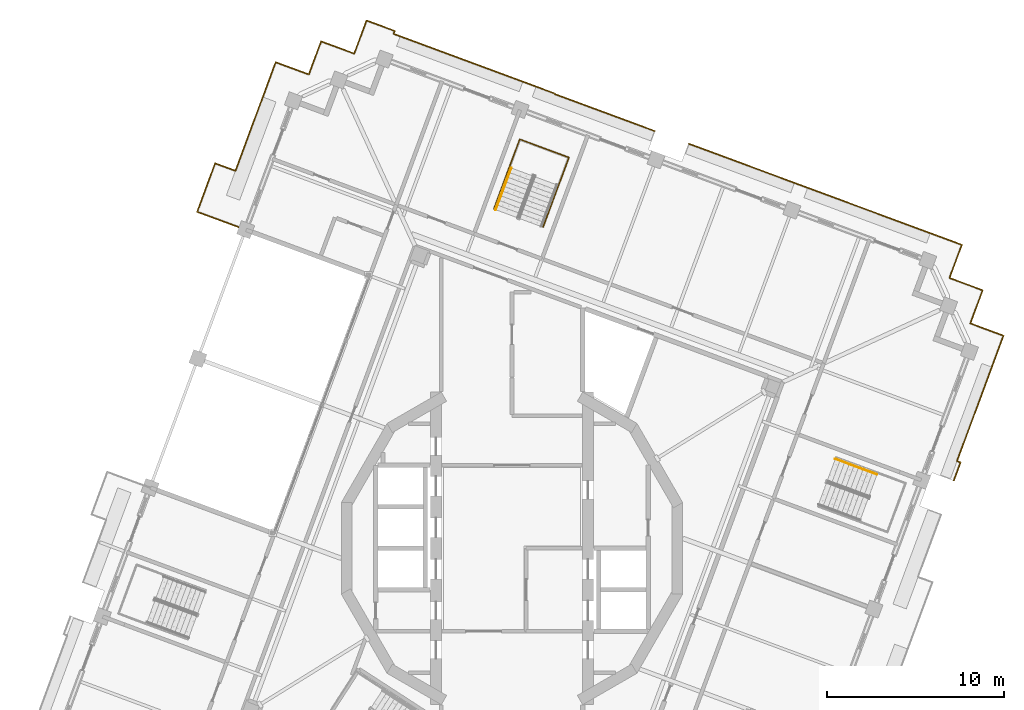
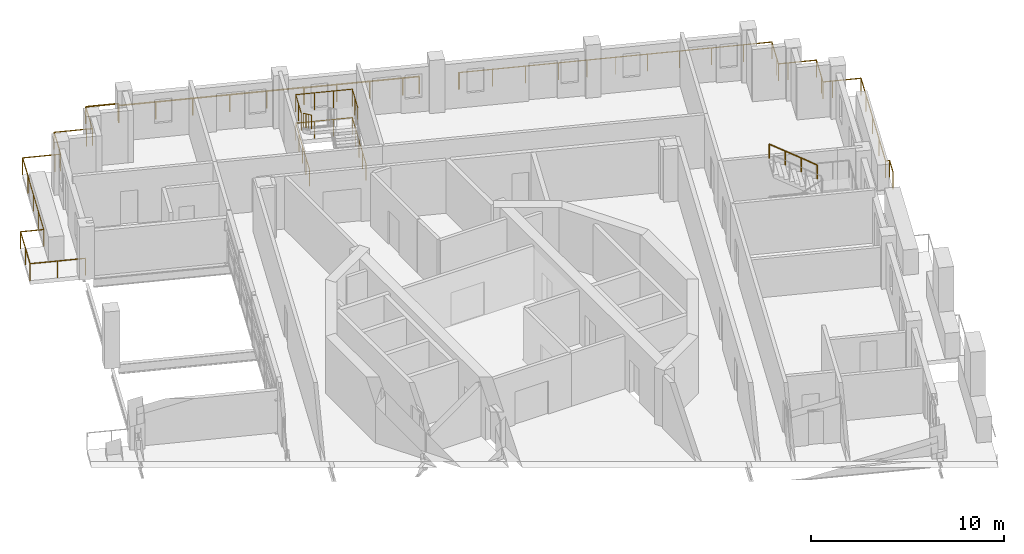
# One storey, part 19 of 20: 8 railings.
"""IFC4 building model written with IfcOpenShell, lengths in metres."""

from ifc_helpers import new_model, si_unit, direction, frame, origin, origin_2d, place, context, subcontext, project, spatial, circle, extrude, material, type_object, element, save


model = new_model("IFC4")

# Units and contexts
model_context = context("Model", 3, precision=1e-05, world=origin(), true_north=direction((0.0, 1.0)))
body_context = subcontext(model_context, "Body", "Model", "MODEL_VIEW")
ifc_project = project(units=[si_unit("LENGTHUNIT", "METRE"), si_unit("AREAUNIT", "SQUARE_METRE"), si_unit("VOLUMEUNIT", "CUBIC_METRE"), si_unit("PLANEANGLEUNIT", "RADIAN"), si_unit("MASSUNIT", "GRAM", prefix="KILO")], contexts=[model_context])

# Site, building, storey
site_placement = place(None, origin())
site = spatial("IfcSite", under=ifc_project, at=site_placement, CompositionType="ELEMENT")
building_placement = place(site_placement, origin())
building = spatial("IfcBuilding", under=site, at=building_placement, Name="Cantera Rosa Tower", CompositionType="ELEMENT")
storey_placement = place(building_placement, frame((0.0, 0.0, 313.300048828125)))
storey = spatial("IfcBuildingStorey", under=building, at=storey_placement, Name="L69", CompositionType="ELEMENT", Elevation=313.300048828125)

# Railings
ifc_material_1 = material(Name="Stainless steel and laminated glass", Category="steel")
railing_type_1 = type_object("IfcRailingType", Name="GUARD 1100", PredefinedType="BALUSTRADE", material=ifc_material_1)
railing_1_placement = place(storey_placement, frame((-8.23291015625, 29.872314453125, 0.0)))
element("IfcRailing", 1, at=railing_1_placement, inside=storey, type_object=railing_type_1, Name="GUARD L69-4", PredefinedType="BALUSTRADE", context=body_context, shape_type="SweptSolid", body=[
    extrude(circle(Radius=0.030029296875, at=origin_2d()), frame((0.0, 0.0, 1.070068359375), z_axis=(0.93766211216, -0.347548217403, 0.0), x_axis=(0.347548217403, 0.93766211216, 0.0)), (0.0, 0.0, 1.0), 1.699951171875),
    extrude(circle(Radius=0.030029296875, at=origin_2d()), frame((1.593994140625, -0.5908203125, 1.070068359375), z_axis=(-0.346946854775, -0.937884790346, 0.0), x_axis=(0.937884790346, -0.346946854775, 0.0)), (0.0, 0.0, 1.0), 0.173095703125),
    extrude(circle(Radius=0.030029296875, at=origin_2d()), frame((1.533935546875, -0.753173828125, 1.070068359375), z_axis=(0.937685768229, -0.347484388226, 0.0), x_axis=(0.347484388226, 0.937685768229, 0.0)), (0.0, 0.0, 1.0), 9.726806640625),
    extrude(circle(Radius=0.030029296875, at=origin_2d()), frame((10.654541015625, -4.133056640625, 1.070068359375), z_axis=(-0.346127430472, -0.93818750891, 0.0), x_axis=(0.93818750891, -0.346127430472, 0.0)), (0.0, 0.0, 1.0), 0.02685546875),
    extrude(circle(Radius=0.030029296875, at=origin_2d()), frame((10.645263671875, -4.158203125, 1.070068359375), z_axis=(0.937685555013, -0.347484963589, 0.0), x_axis=(0.347484963589, 0.937685555013, 0.0)), (0.0, 0.0, 1.0), 5.173095703125),
    extrude(circle(Radius=0.030029296875, at=origin_2d()), frame((15.49609375, -5.955810546875, 1.070068359375), z_axis=(0.937694580373, -0.347460607753, 0.0), x_axis=(0.347460607753, 0.937694580373, 0.0)), (0.0, 0.0, 1.0), 0.869873046875),
    extrude(circle(Radius=0.02490234375, at=origin_2d()), origin(), (0.0, 0.0, 1.0), 1.0400390625),
    extrude(circle(Radius=0.02490234375, at=origin_2d()), frame((1.593994140625, -0.5908203125, 0.0)), (0.0, 0.0, 1.0), 1.0400390625),
    extrude(circle(Radius=0.02490234375, at=origin_2d()), frame((1.533935546875, -0.753173828125, 0.0)), (0.0, 0.0, 1.0), 1.0400390625),
    extrude(circle(Radius=0.02490234375, at=origin_2d()), frame((3.358154296875, -1.42919921875, 0.0)), (0.0, 0.0, 1.0), 1.0400390625),
    extrude(circle(Radius=0.02490234375, at=origin_2d()), frame((5.18212890625, -2.105224609375, 0.0)), (0.0, 0.0, 1.0), 1.0400390625),
    extrude(circle(Radius=0.02490234375, at=origin_2d()), frame((7.00634765625, -2.781005859375, 0.0)), (0.0, 0.0, 1.0), 1.0400390625),
    extrude(circle(Radius=0.02490234375, at=origin_2d()), frame((8.830322265625, -3.45703125, 0.0)), (0.0, 0.0, 1.0), 1.0400390625),
    extrude(circle(Radius=0.02490234375, at=origin_2d()), frame((10.654541015625, -4.133056640625, 0.0)), (0.0, 0.0, 1.0), 1.0400390625),
    extrude(circle(Radius=0.02490234375, at=origin_2d()), frame((10.645263671875, -4.158203125, 0.0)), (0.0, 0.0, 1.0), 1.0400390625),
    extrude(circle(Radius=0.02490234375, at=origin_2d()), frame((12.26220703125, -4.75732421875, 0.0)), (0.0, 0.0, 1.0), 1.0400390625),
    extrude(circle(Radius=0.02490234375, at=origin_2d()), frame((13.879150390625, -5.356689453125, 0.0)), (0.0, 0.0, 1.0), 1.0400390625),
    extrude(circle(Radius=0.02490234375, at=origin_2d()), frame((15.49609375, -5.955810546875, 0.0)), (0.0, 0.0, 1.0), 1.0400390625),
    extrude(circle(Radius=0.02490234375, at=origin_2d()), frame((16.311767578125, -6.258056640625, 0.0)), (0.0, 0.0, 1.0), 1.0400390625),
])
railing_2_placement = place(storey_placement, frame((-15.092529296875, 18.038330078125, 0.0)))
element("IfcRailing", 2, at=railing_2_placement, inside=storey, type_object=railing_type_1, Name="GUARD L69-5", PredefinedType="BALUSTRADE", context=body_context, shape_type="SweptSolid", body=[
    extrude(circle(Radius=0.030029296875, at=origin_2d()), frame((0.0, 0.0, 1.070068359375), z_axis=(-0.937662552655, 0.347547028974, 0.0), x_axis=(-0.347547028974, -0.937662552655, 0.0)), (0.0, 0.0, 1.0), 2.90478515625),
    extrude(circle(Radius=0.030029296875, at=origin_2d()), frame((-2.7236328125, 1.009521484375, 1.070068359375), z_axis=(0.3474339808, 0.9377044465, 0.0), x_axis=(-0.9377044465, 0.3474339808, 0.0)), (0.0, 0.0, 1.0), 2.924560546875),
    extrude(circle(Radius=0.030029296875, at=origin_2d()), frame((-1.70751953125, 3.751953125, 1.070068359375), z_axis=(0.937722312445, -0.34738575783, 0.0), x_axis=(0.34738575783, 0.937722312445, 0.0)), (0.0, 0.0, 1.0), 1.224853515625),
    extrude(circle(Radius=0.030029296875, at=origin_2d()), frame((-0.558837890625, 3.326416015625, 1.070068359375), z_axis=(0.347478129695, 0.93768808747, 0.0), x_axis=(-0.93768808747, 0.347478129695, 0.0)), (0.0, 0.0, 1.0), 4.85498046875),
    extrude(circle(Radius=0.030029296875, at=origin_2d()), frame((1.128173828125, 7.87890625, 1.070068359375), z_axis=(0.347501421626, 0.937679455874, 0.0), x_axis=(-0.937679455874, 0.347501421626, 0.0)), (0.0, 0.0, 1.0), 1.7001953125),
    extrude(circle(Radius=0.030029296875, at=origin_2d()), frame((1.718994140625, 9.47314453125, 1.070068359375), z_axis=(0.93766211216, -0.347548217403, 0.0), x_axis=(0.347548217403, 0.93766211216, 0.0)), (0.0, 0.0, 1.0), 1.699951171875),
    extrude(circle(Radius=0.030029296875, at=origin_2d()), frame((3.31298828125, 8.88232421875, 1.070068359375), z_axis=(0.937660365215, -0.347552930509, 0.0), x_axis=(0.347552930509, 0.937660365215, 0.0)), (0.0, 0.0, 1.0), 0.300048828125),
    extrude(circle(Radius=0.030029296875, at=origin_2d()), frame((3.59423828125, 8.778076171875, 1.070068359375), z_axis=(0.347552930509, 0.937660365215, 0.0), x_axis=(-0.937660365215, 0.347552930509, 0.0)), (0.0, 0.0, 1.0), 0.300048828125),
    extrude(circle(Radius=0.030029296875, at=origin_2d()), frame((3.698486328125, 9.059326171875, 1.070068359375), z_axis=(0.347501421626, 0.937679455874, 0.0), x_axis=(-0.937679455874, 0.347501421626, 0.0)), (0.0, 0.0, 1.0), 1.7001953125),
    extrude(circle(Radius=0.030029296875, at=origin_2d()), frame((4.289306640625, 10.653564453125, 1.070068359375), z_axis=(0.93766211216, -0.347548217403, 0.0), x_axis=(0.347548217403, 0.93766211216, 0.0)), (0.0, 0.0, 1.0), 1.699951171875),
    extrude(circle(Radius=0.030029296875, at=origin_2d()), frame((5.88330078125, 10.062744140625, 1.070068359375), z_axis=(0.937660365215, -0.347552930509, 0.0), x_axis=(0.347552930509, 0.937660365215, 0.0)), (0.0, 0.0, 1.0), 0.300048828125),
    extrude(circle(Radius=0.030029296875, at=origin_2d()), frame((6.16455078125, 9.95849609375, 1.070068359375), z_axis=(0.347509146147, 0.937676593151, 0.0), x_axis=(-0.937676593151, 0.347509146147, 0.0)), (0.0, 0.0, 1.0), 2.000244140625),
    extrude(circle(Radius=0.02490234375, at=origin_2d()), origin(), (0.0, 0.0, 1.0), 1.0400390625),
    extrude(circle(Radius=0.02490234375, at=origin_2d()), frame((-1.36181640625, 0.5048828125, 0.0)), (0.0, 0.0, 1.0), 1.0400390625),
    extrude(circle(Radius=0.02490234375, at=origin_2d()), frame((-2.7236328125, 1.009521484375, 0.0)), (0.0, 0.0, 1.0), 1.0400390625),
    extrude(circle(Radius=0.02490234375, at=origin_2d()), frame((-2.215576171875, 2.380859375, 0.0)), (0.0, 0.0, 1.0), 1.0400390625),
    extrude(circle(Radius=0.02490234375, at=origin_2d()), frame((-1.70751953125, 3.751953125, 0.0)), (0.0, 0.0, 1.0), 1.0400390625),
    extrude(circle(Radius=0.02490234375, at=origin_2d()), frame((-0.558837890625, 3.326416015625, 0.0)), (0.0, 0.0, 1.0), 1.0400390625),
    extrude(circle(Radius=0.02490234375, at=origin_2d()), frame((0.00341796875, 4.843994140625, 0.0)), (0.0, 0.0, 1.0), 1.0400390625),
    extrude(circle(Radius=0.02490234375, at=origin_2d()), frame((0.56591796875, 6.361328125, 0.0)), (0.0, 0.0, 1.0), 1.0400390625),
    extrude(circle(Radius=0.02490234375, at=origin_2d()), frame((1.128173828125, 7.87890625, 0.0)), (0.0, 0.0, 1.0), 1.0400390625),
    extrude(circle(Radius=0.02490234375, at=origin_2d()), frame((1.718994140625, 9.47314453125, 0.0)), (0.0, 0.0, 1.0), 1.0400390625),
    extrude(circle(Radius=0.02490234375, at=origin_2d()), frame((3.31298828125, 8.88232421875, 0.0)), (0.0, 0.0, 1.0), 1.0400390625),
    extrude(circle(Radius=0.02490234375, at=origin_2d()), frame((3.59423828125, 8.778076171875, 0.0)), (0.0, 0.0, 1.0), 1.0400390625),
    extrude(circle(Radius=0.02490234375, at=origin_2d()), frame((3.698486328125, 9.059326171875, 0.0)), (0.0, 0.0, 1.0), 1.0400390625),
    extrude(circle(Radius=0.02490234375, at=origin_2d()), frame((4.289306640625, 10.653564453125, 0.0)), (0.0, 0.0, 1.0), 1.0400390625),
    extrude(circle(Radius=0.02490234375, at=origin_2d()), frame((5.88330078125, 10.062744140625, 0.0)), (0.0, 0.0, 1.0), 1.0400390625),
    extrude(circle(Radius=0.02490234375, at=origin_2d()), frame((6.16455078125, 9.95849609375, 0.0)), (0.0, 0.0, 1.0), 1.0400390625),
    extrude(circle(Radius=0.02490234375, at=origin_2d()), frame((6.859619140625, 11.833984375, 0.0)), (0.0, 0.0, 1.0), 1.0400390625),
])
railing_3_placement = place(storey_placement, frame((26.408447265625, 12.555908203125, 0.0)))
element("IfcRailing", 3, at=railing_3_placement, inside=storey, type_object=railing_type_1, Name="GUARD L69-8", PredefinedType="BALUSTRADE", context=body_context, shape_type="SweptSolid", body=[
    extrude(circle(Radius=0.030029296875, at=origin_2d()), frame((0.0, 0.0, 1.070068359375), z_axis=(0.93769967459, -0.347446859641, 0.0), x_axis=(0.347446859641, 0.93769967459, 0.0)), (0.0, 0.0, 1.0), 1.500244140625),
    extrude(circle(Radius=0.030029296875, at=origin_2d()), frame((1.40673828125, -0.521240234375, 1.070068359375), z_axis=(-0.347499887537, -0.937680024402, 0.0), x_axis=(0.937680024402, -0.347499887537, 0.0)), (0.0, 0.0, 1.0), 1.5),
    extrude(circle(Radius=0.030029296875, at=origin_2d()), frame((0.885498046875, -1.927734375, 1.070068359375), z_axis=(-0.347479430906, -0.937687605281, 0.0), x_axis=(0.937687605281, -0.347479430906, 0.0)), (0.0, 0.0, 1.0), 6.069091796875),
    extrude(circle(Radius=0.030029296875, at=origin_2d()), frame((-1.223388671875, -7.61865234375, 1.070068359375), z_axis=(0.937748760724, -0.347314355824, 0.0), x_axis=(0.347314355824, 0.937748760724, 0.0)), (0.0, 0.0, 1.0), 0.2109375),
    extrude(circle(Radius=0.030029296875, at=origin_2d()), frame((-1.025634765625, -7.69189453125, 1.070068359375), z_axis=(-0.347358490331, -0.937732413429, 0.0), x_axis=(0.937732413429, -0.347358490331, 0.0)), (0.0, 0.0, 1.0), 1.0810546875),
    extrude(circle(Radius=0.02490234375, at=origin_2d()), origin(), (0.0, 0.0, 1.0), 1.0400390625),
    extrude(circle(Radius=0.02490234375, at=origin_2d()), frame((1.40673828125, -0.521240234375, 0.0)), (0.0, 0.0, 1.0), 1.0400390625),
    extrude(circle(Radius=0.02490234375, at=origin_2d()), frame((0.885498046875, -1.927734375, 0.0)), (0.0, 0.0, 1.0), 1.0400390625),
    extrude(circle(Radius=0.02490234375, at=origin_2d()), frame((0.1826171875, -3.82470703125, 0.0)), (0.0, 0.0, 1.0), 1.0400390625),
    extrude(circle(Radius=0.02490234375, at=origin_2d()), frame((-0.5205078125, -5.7216796875, 0.0)), (0.0, 0.0, 1.0), 1.0400390625),
    extrude(circle(Radius=0.02490234375, at=origin_2d()), frame((-1.223388671875, -7.61865234375, 0.0)), (0.0, 0.0, 1.0), 1.0400390625),
    extrude(circle(Radius=0.02490234375, at=origin_2d()), frame((-1.025634765625, -7.69189453125, 0.0)), (0.0, 0.0, 1.0), 1.0400390625),
    extrude(circle(Radius=0.02490234375, at=origin_2d()), frame((-1.401123046875, -8.70556640625, 0.0)), (0.0, 0.0, 1.0), 1.0400390625),
])
railing_4_placement = place(storey_placement, frame((10.010498046875, 22.8984375, 0.0)))
element("IfcRailing", 4, at=railing_4_placement, inside=storey, type_object=railing_type_1, Name="GUARD L69-9", PredefinedType="BALUSTRADE", context=body_context, shape_type="SweptSolid", body=[
    extrude(circle(Radius=0.030029296875, at=origin_2d()), frame((0.0, 0.0, 1.070068359375), z_axis=(0.937327749542, -0.348448977525, 0.0), x_axis=(0.348448977525, 0.937327749542, 0.0)), (0.0, 0.0, 1.0), 0.070068359375),
    extrude(circle(Radius=0.030029296875, at=origin_2d()), frame((0.065673828125, -0.0244140625, 1.070068359375), z_axis=(0.937688147358, -0.347477968085, 0.0), x_axis=(0.347477968085, 0.937688147358, 0.0)), (0.0, 0.0, 1.0), 5.199951171875),
    extrude(circle(Radius=0.030029296875, at=origin_2d()), frame((4.941650390625, -1.831298828125, 1.070068359375), z_axis=(0.937680024402, -0.347499887537, 0.0), x_axis=(0.347499887537, 0.937680024402, 0.0)), (0.0, 0.0, 1.0), 3.0),
    extrude(circle(Radius=0.030029296875, at=origin_2d()), frame((7.754638671875, -2.873779296875, 1.070068359375), z_axis=(0.937686328856, -0.347482875373, 0.0), x_axis=(0.347482875373, 0.937686328856, 0.0)), (0.0, 0.0, 1.0), 6.699951171875),
    extrude(circle(Radius=0.030029296875, at=origin_2d()), frame((14.037109375, -5.201904296875, 1.070068359375), z_axis=(0.93769967459, -0.347446859641, 0.0), x_axis=(0.347446859641, 0.93769967459, 0.0)), (0.0, 0.0, 1.0), 1.500244140625),
    extrude(circle(Radius=0.030029296875, at=origin_2d()), frame((15.44384765625, -5.72314453125, 1.070068359375), z_axis=(-0.347499887537, -0.937680024402, 0.0), x_axis=(0.937680024402, -0.347499887537, 0.0)), (0.0, 0.0, 1.0), 1.5),
    extrude(circle(Radius=0.030029296875, at=origin_2d()), frame((14.922607421875, -7.129638671875, 1.070068359375), z_axis=(-0.347696042931, -0.937607306781, 0.0), x_axis=(0.937607306781, -0.347696042931, 0.0)), (0.0, 0.0, 1.0), 0.5),
    extrude(circle(Radius=0.030029296875, at=origin_2d()), frame((14.748779296875, -7.598388671875, 1.070068359375), z_axis=(0.937607306781, -0.347696042931, 0.0), x_axis=(0.347696042931, 0.937607306781, 0.0)), (0.0, 0.0, 1.0), 0.5),
    extrude(circle(Radius=0.030029296875, at=origin_2d()), frame((15.217529296875, -7.772216796875, 1.070068359375), z_axis=(0.93769967459, -0.347446859641, 0.0), x_axis=(0.347446859641, 0.93769967459, 0.0)), (0.0, 0.0, 1.0), 1.500244140625),
    extrude(circle(Radius=0.030029296875, at=origin_2d()), frame((16.624267578125, -8.29345703125, 1.070068359375), z_axis=(-0.347499887537, -0.937680024402, 0.0), x_axis=(0.937680024402, -0.347499887537, 0.0)), (0.0, 0.0, 1.0), 1.5),
    extrude(circle(Radius=0.030029296875, at=origin_2d()), frame((16.10302734375, -9.699951171875, 1.070068359375), z_axis=(-0.347696042931, -0.937607306781, 0.0), x_axis=(0.937607306781, -0.347696042931, 0.0)), (0.0, 0.0, 1.0), 0.5),
    extrude(circle(Radius=0.030029296875, at=origin_2d()), frame((15.92919921875, -10.168701171875, 1.070068359375), z_axis=(0.937607306781, -0.347696042931, 0.0), x_axis=(0.347696042931, 0.937607306781, 0.0)), (0.0, 0.0, 1.0), 0.5),
    extrude(circle(Radius=0.02490234375, at=origin_2d()), origin(), (0.0, 0.0, 1.0), 1.0400390625),
    extrude(circle(Radius=0.02490234375, at=origin_2d()), frame((0.065673828125, -0.0244140625, 0.0)), (0.0, 0.0, 1.0), 1.0400390625),
    extrude(circle(Radius=0.02490234375, at=origin_2d()), frame((1.69091796875, -0.626708984375, 0.0)), (0.0, 0.0, 1.0), 1.0400390625),
    extrude(circle(Radius=0.02490234375, at=origin_2d()), frame((3.31640625, -1.22900390625, 0.0)), (0.0, 0.0, 1.0), 1.0400390625),
    extrude(circle(Radius=0.02490234375, at=origin_2d()), frame((4.941650390625, -1.831298828125, 0.0)), (0.0, 0.0, 1.0), 1.0400390625),
    extrude(circle(Radius=0.02490234375, at=origin_2d()), frame((6.34814453125, -2.3525390625, 0.0)), (0.0, 0.0, 1.0), 1.0400390625),
    extrude(circle(Radius=0.02490234375, at=origin_2d()), frame((7.754638671875, -2.873779296875, 0.0)), (0.0, 0.0, 1.0), 1.0400390625),
    extrude(circle(Radius=0.02490234375, at=origin_2d()), frame((9.3251953125, -3.455810546875, 0.0)), (0.0, 0.0, 1.0), 1.0400390625),
    extrude(circle(Radius=0.02490234375, at=origin_2d()), frame((10.89599609375, -4.037841796875, 0.0)), (0.0, 0.0, 1.0), 1.0400390625),
    extrude(circle(Radius=0.02490234375, at=origin_2d()), frame((12.466552734375, -4.619873046875, 0.0)), (0.0, 0.0, 1.0), 1.0400390625),
    extrude(circle(Radius=0.02490234375, at=origin_2d()), frame((14.037109375, -5.201904296875, 0.0)), (0.0, 0.0, 1.0), 1.0400390625),
    extrude(circle(Radius=0.02490234375, at=origin_2d()), frame((15.44384765625, -5.72314453125, 0.0)), (0.0, 0.0, 1.0), 1.0400390625),
    extrude(circle(Radius=0.02490234375, at=origin_2d()), frame((14.922607421875, -7.129638671875, 0.0)), (0.0, 0.0, 1.0), 1.0400390625),
    extrude(circle(Radius=0.02490234375, at=origin_2d()), frame((14.748779296875, -7.598388671875, 0.0)), (0.0, 0.0, 1.0), 1.0400390625),
    extrude(circle(Radius=0.02490234375, at=origin_2d()), frame((15.217529296875, -7.772216796875, 0.0)), (0.0, 0.0, 1.0), 1.0400390625),
    extrude(circle(Radius=0.02490234375, at=origin_2d()), frame((16.624267578125, -8.29345703125, 0.0)), (0.0, 0.0, 1.0), 1.0400390625),
    extrude(circle(Radius=0.02490234375, at=origin_2d()), frame((16.10302734375, -9.699951171875, 0.0)), (0.0, 0.0, 1.0), 1.0400390625),
    extrude(circle(Radius=0.02490234375, at=origin_2d()), frame((15.92919921875, -10.168701171875, 0.0)), (0.0, 0.0, 1.0), 1.0400390625),
    extrude(circle(Radius=0.02490234375, at=origin_2d()), frame((16.39794921875, -10.342529296875, 0.0)), (0.0, 0.0, 1.0), 1.0400390625),
])
ifc_material_2 = material(Name="Steel S355J2 (EN 10025-2)", Category="steel")
railing_type_2 = type_object("IfcRailingType", Name="STAIR GUARD 1100", PredefinedType="GUARDRAIL", material=ifc_material_2)
railing_5_placement = place(storey_placement, frame((1.762939453125, 18.182373046875, 0.0)))
element("IfcRailing", 5, at=railing_5_placement, inside=storey, type_object=railing_type_2, Name="L69 ST-62 stair guard 4", PredefinedType="GUARDRAIL", context=body_context, shape_type="SweptSolid", body=[
    extrude(circle(Radius=0.02392578125, at=origin_2d()), frame((0.0, 0.0, 1.076171875), z_axis=(0.347475346394, 0.937689118871, 0.0), x_axis=(-0.937689118871, 0.347475346394, 0.0)), (0.0, 0.0, 1.0), 4.197998046875),
    extrude(circle(Radius=0.02392578125, at=origin_2d()), frame((1.458740234375, 3.9365234375, 1.076171875), z_axis=(-0.937690243436, 0.347472311651, 0.0), x_axis=(-0.347472311651, -0.937690243436, 0.0)), (0.0, 0.0, 1.0), 2.969970703125),
    extrude(circle(Radius=0.02392578125, at=origin_2d()), frame((-1.326171875, 4.968505859375, 1.076171875), z_axis=(-0.347475346394, -0.937689118871, 0.0), x_axis=(0.937689118871, -0.347475346394, 0.0)), (0.0, 0.0, 1.0), 4.197998046875),
    extrude(circle(Radius=0.02099609375, at=origin_2d()), origin(), (0.0, 0.0, 1.0), 1.052001953125),
    extrude(circle(Radius=0.02099609375, at=origin_2d()), frame((0.36474609375, 0.984130859375, 0.0)), (0.0, 0.0, 1.0), 1.052001953125),
    extrude(circle(Radius=0.02099609375, at=origin_2d()), frame((0.7294921875, 1.96826171875, 0.0)), (0.0, 0.0, 1.0), 1.052001953125),
    extrude(circle(Radius=0.02099609375, at=origin_2d()), frame((1.093994140625, 2.952392578125, 0.0)), (0.0, 0.0, 1.0), 1.052001953125),
    extrude(circle(Radius=0.02099609375, at=origin_2d()), frame((1.458740234375, 3.9365234375, 0.0)), (0.0, 0.0, 1.0), 1.052001953125),
    extrude(circle(Radius=0.02099609375, at=origin_2d()), frame((0.530517578125, 4.280517578125, 0.0)), (0.0, 0.0, 1.0), 1.052001953125),
    extrude(circle(Radius=0.02099609375, at=origin_2d()), frame((-0.39794921875, 4.62451171875, 0.0)), (0.0, 0.0, 1.0), 1.052001953125),
    extrude(circle(Radius=0.02099609375, at=origin_2d()), frame((-1.326171875, 4.968505859375, 0.0)), (0.0, 0.0, 1.0), 1.052001953125),
    extrude(circle(Radius=0.02099609375, at=origin_2d()), frame((-1.69091796875, 3.984375, 0.0)), (0.0, 0.0, 1.0), 1.052001953125),
    extrude(circle(Radius=0.02099609375, at=origin_2d()), frame((-2.0556640625, 3.000244140625, 0.0)), (0.0, 0.0, 1.0), 1.052001953125),
    extrude(circle(Radius=0.02099609375, at=origin_2d()), frame((-2.420166015625, 2.01611328125, 0.0)), (0.0, 0.0, 1.0), 1.052001953125),
    extrude(circle(Radius=0.02099609375, at=origin_2d()), frame((-2.784912109375, 1.031982421875, 0.0)), (0.0, 0.0, 1.0), 1.052001953125),
])
railing_6_placement = place(storey_placement, frame((2.630126953125, 20.52294921875, 1.800048828125)))
element("IfcRailing", 6, at=railing_6_placement, inside=storey, type_object=railing_type_2, Name="L69 ST-62 stair guard 5", PredefinedType="GUARDRAIL", context=body_context, shape_type="SweptSolid", body=[
    extrude(circle(Radius=0.02392578125, at=origin_2d()), frame((0.0, 0.0, 1.076171875), z_axis=(0.347552602091, 0.937660486946, 0.0), x_axis=(-0.937660486946, 0.347552602091, 0.0)), (0.0, 0.0, 1.0), 1.7021484375),
    extrude(circle(Radius=0.02392578125, at=origin_2d()), frame((0.591552734375, 1.595947265625, 1.076171875), z_axis=(-0.937690243436, 0.347472311651, 0.0), x_axis=(-0.347472311651, -0.937690243436, 0.0)), (0.0, 0.0, 1.0), 2.969970703125),
    extrude(circle(Radius=0.02392578125, at=origin_2d()), frame((-2.193359375, 2.6279296875, 1.076171875), z_axis=(-0.347552602091, -0.937660486946, 0.0), x_axis=(0.937660486946, -0.347552602091, 0.0)), (0.0, 0.0, 1.0), 1.7021484375),
    extrude(circle(Radius=0.02099609375, at=origin_2d()), origin(), (0.0, 0.0, 1.0), 1.052001953125),
    extrude(circle(Radius=0.02099609375, at=origin_2d()), frame((0.2958984375, 0.7978515625, 0.0)), (0.0, 0.0, 1.0), 1.052001953125),
    extrude(circle(Radius=0.02099609375, at=origin_2d()), frame((0.591552734375, 1.595947265625, 0.0)), (0.0, 0.0, 1.0), 1.052001953125),
    extrude(circle(Radius=0.02099609375, at=origin_2d()), frame((-0.336669921875, 1.93994140625, 0.0)), (0.0, 0.0, 1.0), 1.052001953125),
    extrude(circle(Radius=0.02099609375, at=origin_2d()), frame((-1.26513671875, 2.283935546875, 0.0)), (0.0, 0.0, 1.0), 1.052001953125),
    extrude(circle(Radius=0.02099609375, at=origin_2d()), frame((-2.193359375, 2.6279296875, 0.0)), (0.0, 0.0, 1.0), 1.052001953125),
    extrude(circle(Radius=0.02099609375, at=origin_2d()), frame((-2.4892578125, 1.830078125, 0.0)), (0.0, 0.0, 1.0), 1.052001953125),
    extrude(circle(Radius=0.02099609375, at=origin_2d()), frame((-2.784912109375, 1.031982421875, 0.0)), (0.0, 0.0, 1.0), 1.052001953125),
])
ifc_material_3 = material(Name="Steel S355J2 (EN 10025-2)", Category="steel")
railing_type_3 = type_object("IfcRailingType", Name="STAIR HANDRAIL 900", PredefinedType="HANDRAIL", material=ifc_material_3)
railing_7_placement = place(storey_placement, frame((20.660400390625, 4.181396484375, 1.97998046875)))
element("IfcRailing", 7, at=railing_7_placement, inside=storey, type_object=railing_type_3, Name="L69 ST-61 stair handrail 2", PredefinedType="HANDRAIL", context=body_context, shape_type="SweptSolid", body=[
    extrude(circle(Radius=0.02392578125, at=origin_2d()), frame((0.0, 0.0, 0.8759765625), z_axis=(-0.78878233546, 0.292319685639, 0.540713998944), x_axis=(-0.347500508527, -0.937679794265, 0.0)), (0.0, 0.0, 1.0), 2.995849609375),
    extrude(circle(Radius=0.02099609375, at=origin_2d()), origin(), (0.0, 0.0, 1.0), 0.851806640625),
    extrude(circle(Radius=0.02099609375, at=origin_2d()), frame((-0.78759765625, 0.2919921875, 0.5400390625)), (0.0, 0.0, 1.0), 0.851806640625),
    extrude(circle(Radius=0.02099609375, at=origin_2d()), frame((-1.575439453125, 0.583740234375, 1.079833984375)), (0.0, 0.0, 1.0), 0.851806640625),
    extrude(circle(Radius=0.02099609375, at=origin_2d()), frame((-2.363037109375, 0.875732421875, 1.619873046875)), (0.0, 0.0, 1.0), 0.851806640625),
])
railing_8_placement = place(storey_placement, frame((-0.04736328125, 21.52783203125, 1.97998046875)))
element("IfcRailing", 8, at=railing_8_placement, inside=storey, type_object=railing_type_3, Name="L69 ST-62 stair handrail 2", PredefinedType="HANDRAIL", context=body_context, shape_type="SweptSolid", body=[
    extrude(circle(Radius=0.02392578125, at=origin_2d()), frame((0.0, 0.0, 0.8759765625), z_axis=(-0.292338477135, -0.788751542156, 0.540748758236), x_axis=(0.937668094043, -0.347532078253, 0.0)), (0.0, 0.0, 1.0), 2.99560546875),
    extrude(circle(Radius=0.02099609375, at=origin_2d()), origin(), (0.0, 0.0, 1.0), 0.851806640625),
    extrude(circle(Radius=0.02099609375, at=origin_2d()), frame((-0.2919921875, -0.78759765625, 0.5400390625)), (0.0, 0.0, 1.0), 0.851806640625),
    extrude(circle(Radius=0.02099609375, at=origin_2d()), frame((-0.583740234375, -1.5751953125, 1.079833984375)), (0.0, 0.0, 1.0), 0.851806640625),
    extrude(circle(Radius=0.02099609375, at=origin_2d()), frame((-0.875732421875, -2.36279296875, 1.619873046875)), (0.0, 0.0, 1.0), 0.851806640625),
])

save(model, "model.ifc")
